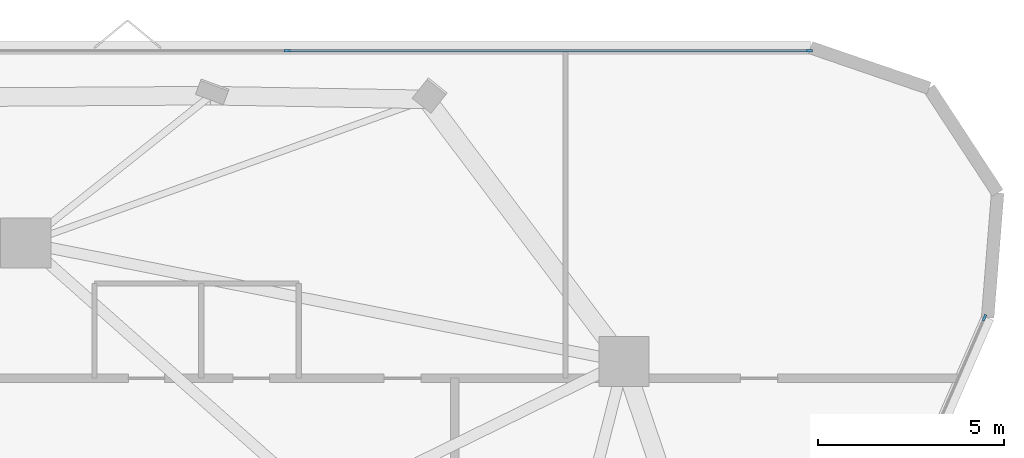
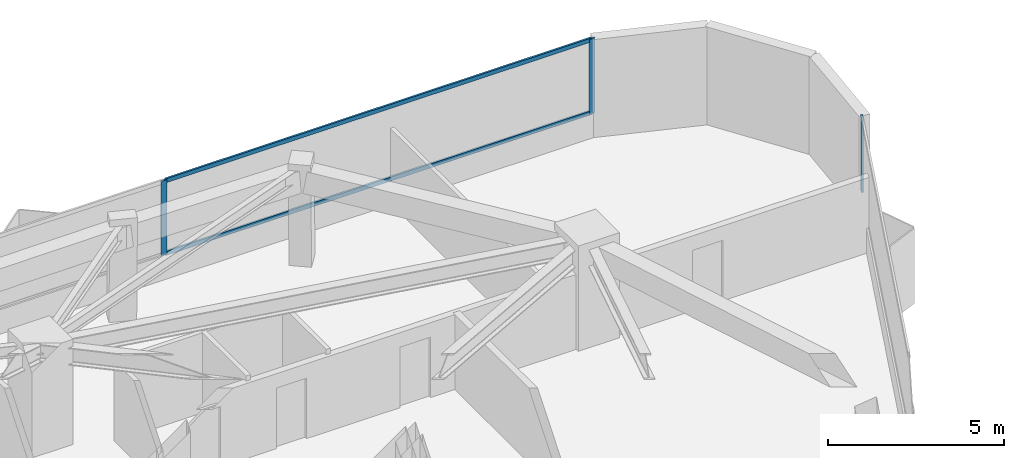
# One storey, part 8 of 12: 5 members, 2 elements without a shape of their own.
"""IFC4 building model written with IfcOpenShell, lengths in metres."""

from ifc_helpers import new_model, si_unit, direction, frame, origin, origin_2d, place, context, subcontext, project, spatial, rectangle, extrude, material, layer, layer_set, material_profile, profile_set, type_object, element, aggregate, save


model = new_model("IFC4")

# Units and contexts
model_context = context("Model", 3, precision=1e-05, world=origin(), true_north=direction((0.0, 1.0)))
body_context = subcontext(model_context, "Body", "Model", "MODEL_VIEW")
ifc_project = project(units=[si_unit("LENGTHUNIT", "METRE"), si_unit("AREAUNIT", "SQUARE_METRE"), si_unit("VOLUMEUNIT", "CUBIC_METRE"), si_unit("PLANEANGLEUNIT", "RADIAN"), si_unit("MASSUNIT", "GRAM", prefix="KILO")], contexts=[model_context])

# Site, building, storey
site_placement = place(None, origin())
site = spatial("IfcSite", under=ifc_project, at=site_placement, CompositionType="ELEMENT")
building_placement = place(site_placement, origin())
building = spatial("IfcBuilding", under=site, at=building_placement, Name="Talyreon Biosciences Tower", CompositionType="ELEMENT")
storey_placement = place(building_placement, frame((0.0, 0.0, 197.64990234375)))
storey = spatial("IfcBuildingStorey", under=building, at=storey_placement, Name="L52", CompositionType="ELEMENT", Elevation=197.64990234375)

# Curtain wall, members
ifc_material_1 = material(Name="Thermally broken aluminium and low-E glazing", Category="aluminium")
ifc_layer = layer(ifc_material_1, 0.179931640625)
ifc_layer_set = layer_set([ifc_layer], Name="Thermally broken aluminium and low-E glazing")
curtain_wall_type = type_object("IfcCurtainWallType", Name="CurtainWall_Zone4Optical", PredefinedType="NOTDEFINED", material=ifc_layer_set)
curtain_wall_1_placement = place(storey_placement, origin())
curtain_wall_1 = element("IfcCurtainWall", 1, at=curtain_wall_1_placement, inside=storey, type_object=curtain_wall_type, Name="L52 Unitised Curtain Wall FCW-L52-04", PredefinedType="NOTDEFINED")
ifc_material_2 = material(Name="Anodised thermally broken aluminium", Category="aluminium")
ifc_material_profile_1 = material_profile(ifc_material_2, rectangle(XDim=0.06494140625, YDim=0.179931640625, at=origin_2d()), Name="ALUM MULLION 65x180")
ifc_profile_set_1 = profile_set([ifc_material_profile_1], Name="Anodised thermally broken aluminium")
member_type_1 = type_object("IfcMemberType", Name="CWMullion_65x180", PredefinedType="MULLION", material=ifc_profile_set_1)
member_1_placement = place(storey_placement, frame((73.043701171875, 86.971923828125, 0.81005859375), z_axis=(0.0, 0.0, 1.0), x_axis=(0.0, 1.0, 0.0)))
member_1 = element("IfcMember", 2, at=member_1_placement, type_object=member_type_1, Name="CW5 mullion 3", PredefinedType="MULLION", context=body_context, shape_type="SweptSolid", body=[
    extrude(rectangle(XDim=0.06494140625, YDim=0.179931640625, at=origin_2d()), origin(), (0.0, 0.0, 1.0), 2.590087890625),
])
member_2_placement = place(storey_placement, frame((87.098388671875, 86.971923828125, 0.81005859375), z_axis=(0.0, 0.0, 1.0), x_axis=(0.0, 1.0, 0.0)))
member_2 = element("IfcMember", 3, at=member_2_placement, type_object=member_type_1, Name="CW5 mullion 4", PredefinedType="MULLION", context=body_context, shape_type="SweptSolid", body=[
    extrude(rectangle(XDim=0.06494140625, YDim=0.179931640625, at=origin_2d()), origin(), (0.0, 0.0, 1.0), 2.590087890625),
])

# Curtain wall, member
curtain_wall_2_placement = place(storey_placement, origin())
curtain_wall_2 = element("IfcCurtainWall", 4, at=curtain_wall_2_placement, inside=storey, type_object=curtain_wall_type, Name="L52 Unitised Curtain Wall FCW-L52-08", PredefinedType="NOTDEFINED")
member_3_placement = place(storey_placement, frame((91.812744140625, 79.780029296875, 0.81005859375), z_axis=(0.0, 0.0, 1.0), x_axis=(0.917010897502, -0.398862148946, 0.0)))
member_3 = element("IfcMember", 5, at=member_3_placement, type_object=member_type_1, Name="CW5 mullion 1", PredefinedType="MULLION", context=body_context, shape_type="SweptSolid", body=[
    extrude(rectangle(XDim=0.06494140625, YDim=0.179931640625, at=origin_2d()), origin(), (0.0, 0.0, 1.0), 2.590087890625),
])
aggregate(curtain_wall_2, [member_3])

# Member
ifc_material_profile_2 = material_profile(ifc_material_2, rectangle(XDim=0.06494140625, YDim=0.139892578125, at=origin_2d()), Name="ALUM TRANSOM 65x140")
ifc_profile_set_2 = profile_set([ifc_material_profile_2], Name="Anodised thermally broken aluminium")
member_type_2 = type_object("IfcMemberType", Name="CWTransom_65x140", PredefinedType="USERDEFINED", material=ifc_profile_set_2)
member_4_placement = place(storey_placement, frame((73.076171875, 86.971923828125, 0.842529296875), z_axis=(1.0, 0.0, 0.0), x_axis=(0.0, 1.0, 0.0)))
member_4 = element("IfcMember", 6, at=member_4_placement, type_object=member_type_2, Name="CW5 transom 3.1", ObjectType="TRANSOM", PredefinedType="USERDEFINED", context=body_context, shape_type="SweptSolid", body=[
    extrude(rectangle(XDim=0.06494140625, YDim=0.139892578125, at=origin_2d()), origin(), (0.0, 0.0, 1.0), 13.98974609375),
])

member_5_placement = place(storey_placement, frame((73.076171875, 86.971923828125, 3.36767578125), z_axis=(1.0, 0.0, 0.0), x_axis=(0.0, 1.0, 0.0)))
member_5 = element("IfcMember", 7, at=member_5_placement, type_object=member_type_2, Name="CW5 transom 3.2", ObjectType="TRANSOM", PredefinedType="USERDEFINED", context=body_context, shape_type="SweptSolid", body=[
    extrude(rectangle(XDim=0.06494140625, YDim=0.139892578125, at=origin_2d()), origin(), (0.0, 0.0, 1.0), 13.98974609375),
])

aggregate(curtain_wall_1, [member_1, member_2, member_4, member_5])

save(model, "model.ifc")
